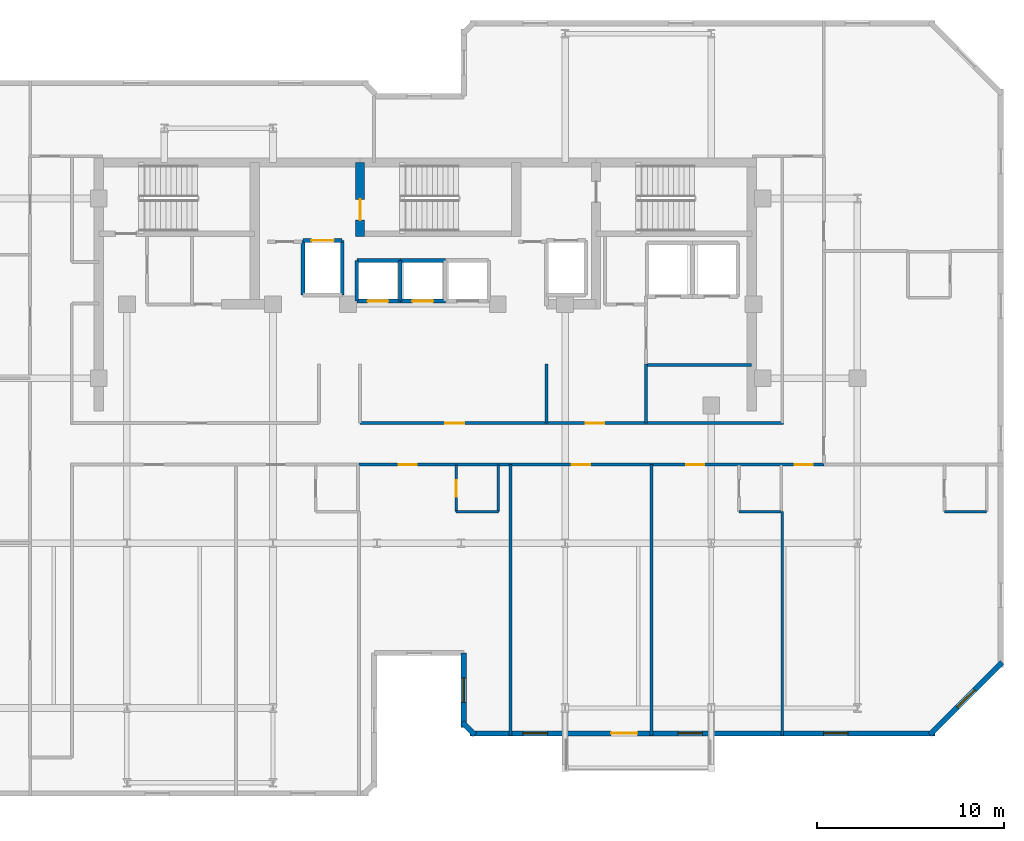
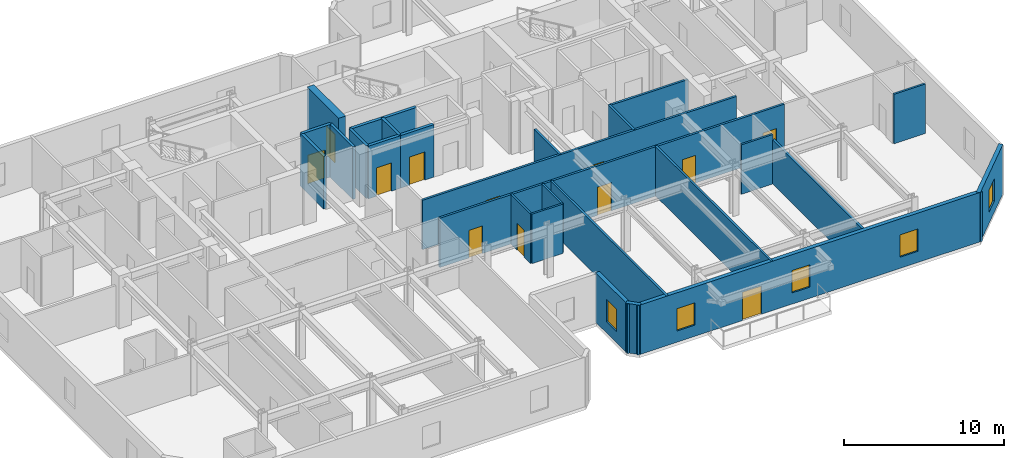
# One storey, part 5 of 11: 27 walls, 12 doors, 5 windows, 17 openings.
"""IFC4 building model written with IfcOpenShell, lengths in metres."""

from ifc_helpers import new_model, si_unit, direction, frame, frame_2d, origin, place, context, subcontext, project, spatial, rectangle, extrude, material, layer, layer_set, type_object, element, fill, save


model = new_model("IFC4")

# Units and contexts
model_context = context("Model", 3, precision=1e-05, world=origin(), true_north=direction((0.0, 1.0)))
body_context = subcontext(model_context, "Body", "Model", "MODEL_VIEW")
ifc_project = project(units=[si_unit("LENGTHUNIT", "METRE"), si_unit("AREAUNIT", "SQUARE_METRE"), si_unit("VOLUMEUNIT", "CUBIC_METRE"), si_unit("PLANEANGLEUNIT", "RADIAN"), si_unit("MASSUNIT", "GRAM", prefix="KILO")], contexts=[model_context])

# Site, building, storey
site_placement = place(None, origin())
site = spatial("IfcSite", under=ifc_project, at=site_placement, CompositionType="ELEMENT")
building_placement = place(site_placement, origin())
building = spatial("IfcBuilding", under=site, at=building_placement, Name="Kestravale Grand Hotel", CompositionType="ELEMENT")
storey_placement = place(building_placement, frame((0.0, 0.0, 265.39990234375)))
storey = spatial("IfcBuildingStorey", under=building, at=storey_placement, Name="L66", CompositionType="ELEMENT", Elevation=265.39990234375)

# Wall, opening, door
ifc_material_1 = material(Name="Concrete f'c 50 MPa", Category="concrete")
ifc_layer_1 = layer(ifc_material_1, 0.5)
ifc_layer_set_1 = layer_set([ifc_layer_1], Name="EW-CORE-500")
wall_type_1 = type_object("IfcWallType", Name="EW-CORE-500", PredefinedType="SHEAR", material=ifc_layer_set_1)
wall_1_placement = place(storey_placement, frame((35.85009765625, 36.3701171875, 0.0), z_axis=(0.0, 0.0, 1.0), x_axis=(0.0, 1.0, 0.0)))
wall_1 = element("IfcWall", 1, at=wall_1_placement, inside=storey, type_object=wall_type_1, Name="L66 core shear wall X2", PredefinedType="SHEAR", context=body_context, shape_type="SweptSolid", body=[
    extrude(rectangle(XDim=3.949951171875, YDim=0.5, at=frame_2d((1.97509765625, 0.0))), origin(), (0.0, 0.0, 1.0), 4.0),
])
opening_1_placement = place(wall_1_placement, frame((0.8798828125, 0.0, 0.0)))
opening_1 = element("IfcOpeningElement", 2, at=opening_1_placement, cuts=wall_1, Name="Opening D-ST-1100", PredefinedType="OPENING", context=body_context, shape_type="SweptSolid", body=[
    extrude(rectangle(XDim=1.10009765625, YDim=2.14990234375, at=frame_2d((0.550048828125, 1.074951171875))), frame((0.0, 0.260009765625, 0.0), z_axis=(0.0, -1.0, 0.0), x_axis=(1.0, 0.0, 0.0)), (0.0, 0.0, 1.0), 0.52001953125),
])
ifc_material_2 = material(Name="Galvanised 90-minute fire-rated steel stair door", Category="steel")
door_type_1 = type_object("IfcDoorType", Name="D-ST-1100", OperationType="NOTDEFINED", PredefinedType="DOOR", material=ifc_material_2)
door_1_placement = place(opening_1_placement, origin())
door_1 = element("IfcDoor", 3, at=door_1_placement, inside=storey, type_object=door_type_1, Name="L66 Stair ST-2 FSAE fire door", OperationType="SINGLE_SWING_RIGHT", OverallHeight=2.14990234375, OverallWidth=1.10009765625, PredefinedType="DOOR", context=body_context, shape_type="SweptSolid", body=[
    extrude(rectangle(XDim=1.10009765625, YDim=2.14990234375, at=frame_2d((0.550048828125, 1.074951171875))), frame((0.0, 0.02490234375, 0.0), z_axis=(0.0, -1.0, 0.0), x_axis=(1.0, 0.0, 0.0)), (0.0, 0.0, 1.0), 0.050048828125),
])
fill(opening_1, door_1)

# Wall, opening, window
ifc_material_3 = material(Name="Precast concrete f'c 45 MPa", Category="concrete")
ifc_layer_2 = layer(ifc_material_3, 0.280029296875)
ifc_layer_set_2 = layer_set([ifc_layer_2], Name="EW-PREC-280")
wall_type_2 = type_object("IfcWallType", Name="EW-PREC-280", PredefinedType="SOLIDWALL", material=ifc_layer_set_2)
wall_2_placement = place(storey_placement, frame((41.389892578125, 14.139892578125, 0.0), z_axis=(0.0, 0.0, 1.0), x_axis=(0.0, -1.0, 0.0)))
wall_2 = element("IfcWall", 4, at=wall_2_placement, inside=storey, type_object=wall_type_2, Name="L66 fluted precast facade wall 5", PredefinedType="SOLIDWALL", context=body_context, shape_type="SweptSolid", body=[
    extrude(rectangle(XDim=3.97998046875, YDim=0.280029296875, at=frame_2d((1.989990234375, 0.0))), origin(), (0.0, 0.0, 1.0), 3.760009765625),
])
opening_2_placement = place(wall_2_placement, frame((1.340087890625, 0.0, 0.85009765625)))
opening_2 = element("IfcOpeningElement", 5, at=opening_2_placement, cuts=wall_2, Name="Opening W-GUEST-1300", PredefinedType="OPENING", context=body_context, shape_type="SweptSolid", body=[
    extrude(rectangle(XDim=1.300048828125, YDim=1.699951171875, at=frame_2d((0.64990234375, 0.85009765625))), frame((0.0, 0.14990234375, 0.0), z_axis=(0.0, -1.0, 0.0), x_axis=(1.0, 0.0, 0.0)), (0.0, 0.0, 1.0), 0.300048828125),
])
ifc_material_4 = material(Name="Insulated low-E double glazing in aluminium frame", Category="aluminium")
window_type = type_object("IfcWindowType", Name="W-GUEST-1300", PartitioningType="SINGLE_PANEL", PredefinedType="WINDOW", material=ifc_material_4)
window_1_placement = place(opening_2_placement, origin())
window_1 = element("IfcWindow", 6, at=window_1_placement, inside=storey, type_object=window_type, Name="L66 exterior window 5.1", OverallHeight=1.699951171875, OverallWidth=1.300048828125, PartitioningType="SINGLE_PANEL", PredefinedType="WINDOW", context=body_context, shape_type="SweptSolid", body=[
    extrude(rectangle(XDim=1.300048828125, YDim=1.699951171875, at=frame_2d((0.64990234375, 0.85009765625))), frame((0.0, 0.030029296875, 0.0), z_axis=(0.0, -1.0, 0.0), x_axis=(1.0, 0.0, 0.0)), (0.0, 0.0, 1.0), 0.06005859375),
])
fill(opening_2, window_1)

# Wall
wall_3_placement = place(storey_placement, frame((41.32080078125, 10.42724609375, 0.0), z_axis=(0.0, 0.0, 1.0), x_axis=(0.707106781187, -0.707106781187, 0.0)))
element("IfcWall", 7, at=wall_3_placement, inside=storey, type_object=wall_type_2, Name="L66 fluted precast facade wall 6", PredefinedType="SOLIDWALL", context=body_context, shape_type="SweptSolid", body=[
    extrude(rectangle(XDim=0.928466796875, YDim=0.280029296875, at=frame_2d((0.46435546875, 0.0))), origin(), (0.0, 0.0, 1.0), 3.760009765625),
])

# Wall, openings, door, windows
wall_4_placement = place(storey_placement, frame((41.7099609375, 9.840087890625, 0.0), z_axis=(0.0, 0.0, 1.0), x_axis=(1.0, 0.0, 0.0)))
wall_4 = element("IfcWall", 8, at=wall_4_placement, inside=storey, type_object=wall_type_2, Name="L66 fluted precast facade wall 7", PredefinedType="SOLIDWALL", context=body_context, shape_type="SweptSolid", body=[
    extrude(rectangle(XDim=24.830078125, YDim=0.280029296875, at=frame_2d((12.4150390625, 0.0))), origin(), (0.0, 0.0, 1.0), 3.760009765625),
])
opening_3_placement = place(wall_4_placement, frame((7.5400390625, 0.0, 0.0)))
opening_3 = element("IfcOpeningElement", 9, at=opening_3_placement, cuts=wall_4, Name="Opening D-TERR-1400", PredefinedType="OPENING", context=body_context, shape_type="SweptSolid", body=[
    extrude(rectangle(XDim=1.39990234375, YDim=2.14990234375, at=frame_2d((0.699951171875, 1.074951171875))), frame((0.0, 0.14990234375, 0.0), z_axis=(0.0, -1.0, 0.0), x_axis=(1.0, 0.0, 0.0)), (0.0, 0.0, 1.0), 0.300048828125),
])
opening_4_placement = place(wall_4_placement, frame((2.83837890625, 0.0, 0.85009765625)))
opening_4 = element("IfcOpeningElement", 10, at=opening_4_placement, cuts=wall_4, Name="Opening W-GUEST-1300", PredefinedType="OPENING", context=body_context, shape_type="SweptSolid", body=[
    extrude(rectangle(XDim=1.300048828125, YDim=1.699951171875, at=frame_2d((0.64990234375, 0.85009765625))), frame((0.0, 0.14990234375, 0.0), z_axis=(0.0, -1.0, 0.0), x_axis=(1.0, 0.0, 0.0)), (0.0, 0.0, 1.0), 0.300048828125),
])
opening_5_placement = place(wall_4_placement, frame((11.114990234375, 0.0, 0.85009765625)))
opening_5 = element("IfcOpeningElement", 11, at=opening_5_placement, cuts=wall_4, Name="Opening W-GUEST-1300", PredefinedType="OPENING", context=body_context, shape_type="SweptSolid", body=[
    extrude(rectangle(XDim=1.300048828125, YDim=1.699951171875, at=frame_2d((0.64990234375, 0.85009765625))), frame((0.0, 0.14990234375, 0.0), z_axis=(0.0, -1.0, 0.0), x_axis=(1.0, 0.0, 0.0)), (0.0, 0.0, 1.0), 0.300048828125),
])
opening_6_placement = place(wall_4_placement, frame((18.8916015625, 0.0, 0.85009765625)))
opening_6 = element("IfcOpeningElement", 12, at=opening_6_placement, cuts=wall_4, Name="Opening W-GUEST-1300", PredefinedType="OPENING", context=body_context, shape_type="SweptSolid", body=[
    extrude(rectangle(XDim=1.300048828125, YDim=1.699951171875, at=frame_2d((0.64990234375, 0.85009765625))), frame((0.0, 0.14990234375, 0.0), z_axis=(0.0, -1.0, 0.0), x_axis=(1.0, 0.0, 0.0)), (0.0, 0.0, 1.0), 0.300048828125),
])
ifc_material_5 = material(Name="Insulated glazed champagne-bronze aluminium door", Category="aluminium")
door_type_2 = type_object("IfcDoorType", Name="D-TERR-1400", OperationType="NOTDEFINED", PredefinedType="DOOR", material=ifc_material_5)
door_2_placement = place(opening_3_placement, origin())
door_2 = element("IfcDoor", 13, at=door_2_placement, inside=storey, type_object=door_type_2, Name="L66 outdoor garden terrace door", OperationType="DOUBLE_DOOR_SINGLE_SWING", OverallHeight=2.14990234375, OverallWidth=1.39990234375, PredefinedType="DOOR", context=body_context, shape_type="SweptSolid", body=[
    extrude(rectangle(XDim=1.39990234375, YDim=2.14990234375, at=frame_2d((0.699951171875, 1.074951171875))), frame((0.0, 0.02490234375, 0.0), z_axis=(0.0, -1.0, 0.0), x_axis=(1.0, 0.0, 0.0)), (0.0, 0.0, 1.0), 0.050048828125),
])
fill(opening_3, door_2)
window_2_placement = place(opening_4_placement, origin())
window_2 = element("IfcWindow", 14, at=window_2_placement, inside=storey, type_object=window_type, Name="L66 exterior window 7.1", OverallHeight=1.699951171875, OverallWidth=1.300048828125, PartitioningType="SINGLE_PANEL", PredefinedType="WINDOW", context=body_context, shape_type="SweptSolid", body=[
    extrude(rectangle(XDim=1.300048828125, YDim=1.699951171875, at=frame_2d((0.64990234375, 0.85009765625))), frame((0.0, 0.030029296875, 0.0), z_axis=(0.0, -1.0, 0.0), x_axis=(1.0, 0.0, 0.0)), (0.0, 0.0, 1.0), 0.06005859375),
])
fill(opening_4, window_2)
window_3_placement = place(opening_5_placement, origin())
window_3 = element("IfcWindow", 15, at=window_3_placement, inside=storey, type_object=window_type, Name="L66 exterior window 7.2", OverallHeight=1.699951171875, OverallWidth=1.300048828125, PartitioningType="SINGLE_PANEL", PredefinedType="WINDOW", context=body_context, shape_type="SweptSolid", body=[
    extrude(rectangle(XDim=1.300048828125, YDim=1.699951171875, at=frame_2d((0.64990234375, 0.85009765625))), frame((0.0, 0.030029296875, 0.0), z_axis=(0.0, -1.0, 0.0), x_axis=(1.0, 0.0, 0.0)), (0.0, 0.0, 1.0), 0.06005859375),
])
fill(opening_5, window_3)
window_4_placement = place(opening_6_placement, origin())
window_4 = element("IfcWindow", 16, at=window_4_placement, inside=storey, type_object=window_type, Name="L66 exterior window 7.3", OverallHeight=1.699951171875, OverallWidth=1.300048828125, PartitioningType="SINGLE_PANEL", PredefinedType="WINDOW", context=body_context, shape_type="SweptSolid", body=[
    extrude(rectangle(XDim=1.300048828125, YDim=1.699951171875, at=frame_2d((0.64990234375, 0.85009765625))), frame((0.0, 0.030029296875, 0.0), z_axis=(0.0, -1.0, 0.0), x_axis=(1.0, 0.0, 0.0)), (0.0, 0.0, 1.0), 0.06005859375),
])
fill(opening_6, window_4)

# Wall, opening, window
wall_5_placement = place(storey_placement, frame((66.272705078125, 9.770751953125, 0.0), z_axis=(0.0, 0.0, 1.0), x_axis=(0.707129162587, 0.707084399077, 0.0)))
wall_5 = element("IfcWall", 17, at=wall_5_placement, inside=storey, type_object=wall_type_2, Name="L66 fluted precast facade wall 8", PredefinedType="SOLIDWALL", context=body_context, shape_type="SweptSolid", body=[
    extrude(rectangle(XDim=5.4541015625, YDim=0.280029296875, at=frame_2d((2.72705078125, 0.0))), origin(), (0.0, 0.0, 1.0), 3.760009765625),
])
opening_7_placement = place(wall_5_placement, frame((2.076904296875, 0.0, 0.85009765625)))
opening_7 = element("IfcOpeningElement", 18, at=opening_7_placement, cuts=wall_5, Name="Opening W-GUEST-1300", PredefinedType="OPENING", context=body_context, shape_type="SweptSolid", body=[
    extrude(rectangle(XDim=1.300048828125, YDim=1.699951171875, at=frame_2d((0.64990234375, 0.85009765625))), frame((0.0, 0.14990234375, 0.0), z_axis=(0.0, -1.0, 0.0), x_axis=(1.0, 0.0, 0.0)), (0.0, 0.0, 1.0), 0.300048828125),
])
window_5_placement = place(opening_7_placement, origin())
window_5 = element("IfcWindow", 19, at=window_5_placement, inside=storey, type_object=window_type, Name="L66 exterior window 8.1", OverallHeight=1.699951171875, OverallWidth=1.300048828125, PartitioningType="SINGLE_PANEL", PredefinedType="WINDOW", context=body_context, shape_type="SweptSolid", body=[
    extrude(rectangle(XDim=1.300048828125, YDim=1.699951171875, at=frame_2d((0.64990234375, 0.85009765625))), frame((0.0, 0.030029296875, 0.0), z_axis=(0.0, -1.0, 0.0), x_axis=(1.0, 0.0, 0.0)), (0.0, 0.0, 1.0), 0.06005859375),
])
fill(opening_7, window_5)

# Wall
ifc_material_6 = material(Name="Acoustic fire-rated gypsum board partition", Category="other")
ifc_layer_3 = layer(ifc_material_6, 0.159912109375)
ifc_layer_set_3 = layer_set([ifc_layer_3], Name="IW-CORR-160")
wall_type_3 = type_object("IfcWallType", Name="IW-CORR-160", PredefinedType="PARTITIONING", material=ifc_layer_set_3)
wall_6_placement = place(storey_placement, frame((51.1201171875, 29.5, 0.0), z_axis=(0.0, 0.0, 1.0), x_axis=(1.0, 0.0, 0.0)))
element("IfcWall", 20, at=wall_6_placement, inside=storey, type_object=wall_type_3, Name="L66 service lift lobby wall", PredefinedType="PARTITIONING", context=body_context, shape_type="SweptSolid", body=[
    extrude(rectangle(XDim=5.6298828125, YDim=0.159912109375, at=frame_2d((2.81494140625, 0.0))), origin(), (0.0, 0.0, 1.0), 3.760009765625),
])

# Wall, openings, doors
wall_7_placement = place(storey_placement, frame((35.85009765625, 26.409912109375, 0.0), z_axis=(0.0, 0.0, 1.0), x_axis=(1.0, 0.0, 0.0)))
wall_7 = element("IfcWall", 21, at=wall_7_placement, inside=storey, type_object=wall_type_3, Name="W-L66-CE-N", PredefinedType="PARTITIONING", context=body_context, shape_type="SweptSolid", body=[
    extrude(rectangle(XDim=22.599853515625, YDim=0.159912109375, at=frame_2d((11.2998046875, 0.0))), origin(), (0.0, 0.0, 1.0), 3.760009765625),
])
opening_8_placement = place(wall_7_placement, frame((4.550048828125, 0.0, 0.0)))
opening_8 = element("IfcOpeningElement", 22, at=opening_8_placement, cuts=wall_7, Name="Opening D-GUEST-1000", PredefinedType="OPENING", context=body_context, shape_type="SweptSolid", body=[
    extrude(rectangle(XDim=1.0, YDim=2.14990234375, at=frame_2d((0.5, 1.074951171875))), frame((0.0, 0.08984375, 0.0), z_axis=(0.0, -1.0, 0.0), x_axis=(1.0, 0.0, 0.0)), (0.0, 0.0, 1.0), 0.179931640625),
])
opening_9_placement = place(wall_7_placement, frame((12.050048828125, 0.0, 0.0)))
opening_9 = element("IfcOpeningElement", 23, at=opening_9_placement, cuts=wall_7, Name="Opening D-GUEST-1000", PredefinedType="OPENING", context=body_context, shape_type="SweptSolid", body=[
    extrude(rectangle(XDim=1.0, YDim=2.14990234375, at=frame_2d((0.5, 1.074951171875))), frame((0.0, 0.08984375, 0.0), z_axis=(0.0, -1.0, 0.0), x_axis=(1.0, 0.0, 0.0)), (0.0, 0.0, 1.0), 0.179931640625),
])
ifc_material_7 = material(Name="Accessible walnut veneer hotel entrance fire door", Category="wood")
door_type_3 = type_object("IfcDoorType", Name="D-GUEST-1000", OperationType="NOTDEFINED", PredefinedType="DOOR", material=ifc_material_7)
door_3_placement = place(opening_8_placement, origin())
door_3 = element("IfcDoor", 24, at=door_3_placement, inside=storey, type_object=door_type_3, Name="D-L66-RECL-E1", OperationType="SINGLE_SWING_RIGHT", OverallHeight=2.14990234375, OverallWidth=1.0, PredefinedType="DOOR", context=body_context, shape_type="SweptSolid", body=[
    extrude(rectangle(XDim=1.0, YDim=2.14990234375, at=frame_2d((0.5, 1.074951171875))), frame((0.0, 0.02490234375, 0.0), z_axis=(0.0, -1.0, 0.0), x_axis=(1.0, 0.0, 0.0)), (0.0, 0.0, 1.0), 0.050048828125),
])
fill(opening_8, door_3)
door_4_placement = place(opening_9_placement, origin())
door_4 = element("IfcDoor", 25, at=door_4_placement, inside=storey, type_object=door_type_3, Name="D-L66-RECL-E2", OperationType="SINGLE_SWING_LEFT", OverallHeight=2.14990234375, OverallWidth=1.0, PredefinedType="DOOR", context=body_context, shape_type="SweptSolid", body=[
    extrude(rectangle(XDim=1.0, YDim=2.14990234375, at=frame_2d((0.5, 1.074951171875))), frame((0.0, 0.02490234375, 0.0), z_axis=(0.0, -1.0, 0.0), x_axis=(1.0, 0.0, 0.0)), (0.0, 0.0, 1.0), 0.050048828125),
])
fill(opening_9, door_4)

wall_8_placement = place(storey_placement, frame((35.800048828125, 24.18994140625, 0.0), z_axis=(0.0, 0.0, 1.0), x_axis=(1.0, 0.0, 0.0)))
wall_8 = element("IfcWall", 26, at=wall_8_placement, inside=storey, type_object=wall_type_3, Name="W-L66-CE-S", PredefinedType="PARTITIONING", context=body_context, shape_type="SweptSolid", body=[
    extrude(rectangle(XDim=24.81005859375, YDim=0.159912109375, at=frame_2d((12.405029296875, 0.0))), origin(), (0.0, 0.0, 1.0), 3.760009765625),
])
opening_10_placement = place(wall_8_placement, frame((2.114990234375, 0.0, 0.0)))
opening_10 = element("IfcOpeningElement", 27, at=opening_10_placement, cuts=wall_8, Name="Opening D-GUEST-950", PredefinedType="OPENING", context=body_context, shape_type="SweptSolid", body=[
    extrude(rectangle(XDim=0.949951171875, YDim=2.10009765625, at=frame_2d((0.47509765625, 1.050048828125))), frame((0.0, 0.08984375, 0.0), z_axis=(0.0, -1.0, 0.0), x_axis=(1.0, 0.0, 0.0)), (0.0, 0.0, 1.0), 0.179931640625),
])
opening_11_placement = place(wall_8_placement, frame((11.344970703125, 0.0, 0.0)))
opening_11 = element("IfcOpeningElement", 28, at=opening_11_placement, cuts=wall_8, Name="Opening D-GUEST-1000", PredefinedType="OPENING", context=body_context, shape_type="SweptSolid", body=[
    extrude(rectangle(XDim=1.0, YDim=2.14990234375, at=frame_2d((0.5, 1.074951171875))), frame((0.0, 0.08984375, 0.0), z_axis=(0.0, -1.0, 0.0), x_axis=(1.0, 0.0, 0.0)), (0.0, 0.0, 1.0), 0.179931640625),
])
opening_12_placement = place(wall_8_placement, frame((17.469970703125, 0.0, 0.0)))
opening_12 = element("IfcOpeningElement", 29, at=opening_12_placement, cuts=wall_8, Name="Opening D-GUEST-950", PredefinedType="OPENING", context=body_context, shape_type="SweptSolid", body=[
    extrude(rectangle(XDim=0.949951171875, YDim=2.10009765625, at=frame_2d((0.47509765625, 1.050048828125))), frame((0.0, 0.08984375, 0.0), z_axis=(0.0, -1.0, 0.0), x_axis=(1.0, 0.0, 0.0)), (0.0, 0.0, 1.0), 0.179931640625),
])
opening_13_placement = place(wall_8_placement, frame((23.264892578125, 0.0, 0.0)))
opening_13 = element("IfcOpeningElement", 30, at=opening_13_placement, cuts=wall_8, Name="Opening D-GUEST-950", PredefinedType="OPENING", context=body_context, shape_type="SweptSolid", body=[
    extrude(rectangle(XDim=0.949951171875, YDim=2.10009765625, at=frame_2d((0.47509765625, 1.050048828125))), frame((0.0, 0.08984375, 0.0), z_axis=(0.0, -1.0, 0.0), x_axis=(1.0, 0.0, 0.0)), (0.0, 0.0, 1.0), 0.179931640625),
])
door_5_placement = place(opening_11_placement, origin())
door_5 = element("IfcDoor", 31, at=door_5_placement, inside=storey, type_object=door_type_3, Name="D-L66-AME", OperationType="SINGLE_SWING_LEFT", OverallHeight=2.14990234375, OverallWidth=1.0, PredefinedType="DOOR", context=body_context, shape_type="SweptSolid", body=[
    extrude(rectangle(XDim=1.0, YDim=2.14990234375, at=frame_2d((0.5, 1.074951171875))), frame((0.0, 0.02490234375, 0.0), z_axis=(0.0, -1.0, 0.0), x_axis=(1.0, 0.0, 0.0)), (0.0, 0.0, 1.0), 0.050048828125),
])
fill(opening_11, door_5)
ifc_material_8 = material(Name="Walnut veneer hotel guestroom entrance fire door", Category="wood")
door_type_4 = type_object("IfcDoorType", Name="D-GUEST-950", OperationType="NOTDEFINED", PredefinedType="DOOR", material=ifc_material_8)
door_6_placement = place(opening_10_placement, origin())
door_6 = element("IfcDoor", 32, at=door_6_placement, inside=storey, type_object=door_type_4, Name="D-L66-U02-ENT", OperationType="SINGLE_SWING_RIGHT", OverallHeight=2.10009765625, OverallWidth=0.949951171875, PredefinedType="DOOR", context=body_context, shape_type="SweptSolid", body=[
    extrude(rectangle(XDim=0.949951171875, YDim=2.10009765625, at=frame_2d((0.47509765625, 1.050048828125))), frame((0.0, 0.02490234375, 0.0), z_axis=(0.0, -1.0, 0.0), x_axis=(1.0, 0.0, 0.0)), (0.0, 0.0, 1.0), 0.050048828125),
])
fill(opening_10, door_6)
door_7_placement = place(opening_12_placement, origin())
door_7 = element("IfcDoor", 33, at=door_7_placement, inside=storey, type_object=door_type_4, Name="D-L66-U03-ENT", OperationType="SINGLE_SWING_LEFT", OverallHeight=2.10009765625, OverallWidth=0.949951171875, PredefinedType="DOOR", context=body_context, shape_type="SweptSolid", body=[
    extrude(rectangle(XDim=0.949951171875, YDim=2.10009765625, at=frame_2d((0.47509765625, 1.050048828125))), frame((0.0, 0.02490234375, 0.0), z_axis=(0.0, -1.0, 0.0), x_axis=(1.0, 0.0, 0.0)), (0.0, 0.0, 1.0), 0.050048828125),
])
fill(opening_12, door_7)
door_8_placement = place(opening_13_placement, origin())
door_8 = element("IfcDoor", 34, at=door_8_placement, inside=storey, type_object=door_type_4, Name="D-L66-U07-ENT", OperationType="SINGLE_SWING_RIGHT", OverallHeight=2.10009765625, OverallWidth=0.949951171875, PredefinedType="DOOR", context=body_context, shape_type="SweptSolid", body=[
    extrude(rectangle(XDim=0.949951171875, YDim=2.10009765625, at=frame_2d((0.47509765625, 1.050048828125))), frame((0.0, 0.02490234375, 0.0), z_axis=(0.0, -1.0, 0.0), x_axis=(1.0, 0.0, 0.0)), (0.0, 0.0, 1.0), 0.050048828125),
])
fill(opening_13, door_8)

# Wall, opening, door
ifc_material_9 = material(Name="Moisture-resistant tile-backer plumbing chase wall", Category="other")
ifc_layer_4 = layer(ifc_material_9, 0.139892578125)
ifc_layer_set_4 = layer_set([ifc_layer_4], Name="IW-PLB-140")
wall_type_4 = type_object("IfcWallType", Name="IW-PLB-140", PredefinedType="PLUMBINGWALL", material=ifc_layer_set_4)
wall_9_placement = place(storey_placement, frame((40.97998046875, 21.679931640625, 0.0), z_axis=(0.0, 0.0, 1.0), x_axis=(0.0, 1.0, 0.0)))
wall_9 = element("IfcWall", 35, at=wall_9_placement, inside=storey, type_object=wall_type_4, Name="W-L66-U02-BW", PredefinedType="PLUMBINGWALL", context=body_context, shape_type="SweptSolid", body=[
    extrude(rectangle(XDim=2.489990234375, YDim=0.139892578125, at=frame_2d((1.2451171875, 0.0))), origin(), (0.0, 0.0, 1.0), 3.760009765625),
])
opening_14_placement = place(wall_9_placement, frame((0.804931640625, 0.0, 0.0)))
opening_14 = element("IfcOpeningElement", 36, at=opening_14_placement, cuts=wall_9, Name="Opening D-BATH-880", PredefinedType="OPENING", context=body_context, shape_type="SweptSolid", body=[
    extrude(rectangle(XDim=0.8798828125, YDim=2.050048828125, at=frame_2d((0.43994140625, 1.02490234375))), frame((0.0, 0.079833984375, 0.0), z_axis=(0.0, -1.0, 0.0), x_axis=(1.0, 0.0, 0.0)), (0.0, 0.0, 1.0), 0.159912109375),
])
ifc_material_10 = material(Name="Moisture-sealed walnut en-suite bathroom door", Category="wood")
door_type_5 = type_object("IfcDoorType", Name="D-BATH-880", OperationType="NOTDEFINED", PredefinedType="DOOR", material=ifc_material_10)
door_9_placement = place(opening_14_placement, origin())
door_9 = element("IfcDoor", 37, at=door_9_placement, inside=storey, type_object=door_type_5, Name="D-L66-U02-BATH", OperationType="SINGLE_SWING_LEFT", OverallHeight=2.050048828125, OverallWidth=0.8798828125, PredefinedType="DOOR", context=body_context, shape_type="SweptSolid", body=[
    extrude(rectangle(XDim=0.8798828125, YDim=2.050048828125, at=frame_2d((0.43994140625, 1.02490234375))), frame((0.0, 0.02490234375, 0.0), z_axis=(0.0, -1.0, 0.0), x_axis=(1.0, 0.0, 0.0)), (0.0, 0.0, 1.0), 0.050048828125),
])
fill(opening_14, door_9)

# Walls
wall_10_placement = place(storey_placement, frame((43.22998046875, 21.679931640625, 0.0), z_axis=(0.0, 0.0, 1.0), x_axis=(0.0, 1.0, 0.0)))
element("IfcWall", 38, at=wall_10_placement, inside=storey, type_object=wall_type_4, Name="W-L66-U02-BE", PredefinedType="PLUMBINGWALL", context=body_context, shape_type="SweptSolid", body=[
    extrude(rectangle(XDim=2.489990234375, YDim=0.139892578125, at=frame_2d((1.2451171875, 0.0))), origin(), (0.0, 0.0, 1.0), 3.760009765625),
])
for number, where, z_axis, x_axis, name in (
    (39, (40.97998046875, 21.679931640625, 0.0), (0.0, 0.0, 1.0), (1.0, 0.0, 0.0), "W-L66-U02-BS"),
    (40, (56.080078125, 21.679931640625, 0.0), (0.0, 0.0, 1.0), (1.0, 0.0, 0.0), "W-L66-U03-BS"),
    (41, (67.050048828125, 21.679931640625, 0.0), (0.0, 0.0, 1.0), (1.0, 0.0, 0.0), "W-L66-U07-BS"),
):
    element("IfcWall", number, at=place(storey_placement, frame(where, z_axis=z_axis, x_axis=x_axis)), inside=storey, type_object=wall_type_4, Name=name, PredefinedType="PLUMBINGWALL", context=body_context, shape_type="SweptSolid", body=[
        extrude(rectangle(XDim=2.25, YDim=0.139892578125, at=frame_2d((1.125, 0.0))), origin(), (0.0, 0.0, 1.0), 3.760009765625),
    ])
ifc_material_11 = material(Name="Concrete f'c 45 MPa", Category="concrete")
ifc_layer_5 = layer(ifc_material_11, 0.199951171875)
ifc_layer_set_5 = layer_set([ifc_layer_5], Name="IW-SHAFT-200")
wall_type_5 = type_object("IfcWallType", Name="IW-SHAFT-200", PredefinedType="SHEAR", material=ifc_layer_set_5)
for number, where, z_axis, x_axis, name in (
    (42, (35.679931640625, 32.919921875, 0.0), (0.0, 0.0, 1.0), (0.0, 1.0, 0.0), "L66 PL-X1 west shaft wall"),
    (43, (38.0, 32.919921875, 0.0), (0.0, 0.0, 1.0), (0.0, 1.0, 0.0), "L66 PL-X2 west shaft wall"),
):
    element("IfcWall", number, at=place(storey_placement, frame(where, z_axis=z_axis, x_axis=x_axis)), inside=storey, type_object=wall_type_5, Name=name, PredefinedType="SHEAR", context=body_context, shape_type="SweptSolid", body=[
        extrude(rectangle(XDim=2.16015625, YDim=0.199951171875, at=frame_2d((1.080078125, 0.0))), origin(), (0.0, 0.0, 1.0), 4.0),
    ])
for number, where, z_axis, x_axis, name in (
    (44, (32.804931640625, 33.2451171875, 0.0), (0.0, 0.0, 1.0), (0.0, 1.0, 0.0), "L66 FL-1 west shaft wall"),
    (45, (34.89501953125, 33.2451171875, 0.0), (0.0, 0.0, 1.0), (0.0, 1.0, 0.0), "L66 FL-1 east shaft wall"),
):
    element("IfcWall", number, at=place(storey_placement, frame(where, z_axis=z_axis, x_axis=x_axis)), inside=storey, type_object=wall_type_5, Name=name, PredefinedType="SHEAR", context=body_context, shape_type="SweptSolid", body=[
        extrude(rectangle(XDim=2.909912109375, YDim=0.199951171875, at=frame_2d((1.455078125, 0.0))), origin(), (0.0, 0.0, 1.0), 4.0),
    ])
ifc_material_12 = material(Name="Concrete f'c 45 MPa", Category="concrete")
ifc_layer_6 = layer(ifc_material_12, 0.219970703125)
ifc_layer_set_6 = layer_set([ifc_layer_6], Name="IW-SHAFT-220")
wall_type_6 = type_object("IfcWallType", Name="IW-SHAFT-220", PredefinedType="SHEAR", material=ifc_layer_set_6)
wall_11_placement = place(storey_placement, frame((35.679931640625, 35.080078125, 0.0), z_axis=(0.0, 0.0, 1.0), x_axis=(1.0, 0.0, 0.0)))
element("IfcWall", 46, at=wall_11_placement, inside=storey, type_object=wall_type_6, Name="L66 PL-X1 north shaft wall", PredefinedType="SHEAR", context=body_context, shape_type="SweptSolid", body=[
    extrude(rectangle(XDim=2.320068359375, YDim=0.219970703125, at=frame_2d((1.16015625, 0.0))), origin(), (0.0, 0.0, 1.0), 4.0),
])

# Wall, opening, door
wall_12_placement = place(storey_placement, frame((35.679931640625, 32.919921875, 0.0), z_axis=(0.0, 0.0, 1.0), x_axis=(1.0, 0.0, 0.0)))
wall_12 = element("IfcWall", 47, at=wall_12_placement, inside=storey, type_object=wall_type_6, Name="L66 PL-X1 south shaft wall", PredefinedType="SHEAR", context=body_context, shape_type="SweptSolid", body=[
    extrude(rectangle(XDim=2.320068359375, YDim=0.219970703125, at=frame_2d((1.16015625, 0.0))), origin(), (0.0, 0.0, 1.0), 4.0),
])
opening_15_placement = place(wall_12_placement, frame((0.570068359375, 0.0, 0.0)))
opening_15 = element("IfcOpeningElement", 48, at=opening_15_placement, cuts=wall_12, Name="Opening LD-PAX-1100", PredefinedType="OPENING", context=body_context, shape_type="SweptSolid", body=[
    extrude(rectangle(XDim=1.10009765625, YDim=2.14990234375, at=frame_2d((0.550048828125, 1.074951171875))), frame((0.0, 0.119873046875, 0.0), z_axis=(0.0, -1.0, 0.0), x_axis=(1.0, 0.0, 0.0)), (0.0, 0.0, 1.0), 0.239990234375),
])
ifc_material_13 = material(Name="Champagne-bronze center-opening sliding elevator landing door", Category="steel")
door_type_6 = type_object("IfcDoorType", Name="LD-PAX-1100", OperationType="NOTDEFINED", PredefinedType="DOOR", material=ifc_material_13)
door_10_placement = place(opening_15_placement, origin())
door_10 = element("IfcDoor", 49, at=door_10_placement, inside=storey, type_object=door_type_6, Name="L66 PL-X1 elevator landing sliding door", OperationType="DOUBLE_DOOR_SLIDING", OverallHeight=2.14990234375, OverallWidth=1.10009765625, PredefinedType="DOOR", context=body_context, shape_type="SweptSolid", body=[
    extrude(rectangle(XDim=1.10009765625, YDim=2.14990234375, at=frame_2d((0.550048828125, 1.074951171875))), frame((0.0, 0.02490234375, 0.0), z_axis=(0.0, -1.0, 0.0), x_axis=(1.0, 0.0, 0.0)), (0.0, 0.0, 1.0), 0.050048828125),
])
fill(opening_15, door_10)

# Wall
wall_13_placement = place(storey_placement, frame((38.0, 35.080078125, 0.0), z_axis=(0.0, 0.0, 1.0), x_axis=(1.0, 0.0, 0.0)))
element("IfcWall", 50, at=wall_13_placement, inside=storey, type_object=wall_type_6, Name="L66 PL-X2 north shaft wall", PredefinedType="SHEAR", context=body_context, shape_type="SweptSolid", body=[
    extrude(rectangle(XDim=2.39990234375, YDim=0.219970703125, at=frame_2d((1.199951171875, 0.0))), origin(), (0.0, 0.0, 1.0), 4.0),
])

# Wall, opening, door
wall_14_placement = place(storey_placement, frame((38.0, 32.919921875, 0.0), z_axis=(0.0, 0.0, 1.0), x_axis=(1.0, 0.0, 0.0)))
wall_14 = element("IfcWall", 51, at=wall_14_placement, inside=storey, type_object=wall_type_6, Name="L66 PL-X2 south shaft wall", PredefinedType="SHEAR", context=body_context, shape_type="SweptSolid", body=[
    extrude(rectangle(XDim=2.39990234375, YDim=0.219970703125, at=frame_2d((1.199951171875, 0.0))), origin(), (0.0, 0.0, 1.0), 4.0),
])
opening_16_placement = place(wall_14_placement, frame((0.64990234375, 0.0, 0.0)))
opening_16 = element("IfcOpeningElement", 52, at=opening_16_placement, cuts=wall_14, Name="Opening LD-PAX-1100", PredefinedType="OPENING", context=body_context, shape_type="SweptSolid", body=[
    extrude(rectangle(XDim=1.10009765625, YDim=2.14990234375, at=frame_2d((0.550048828125, 1.074951171875))), frame((0.0, 0.119873046875, 0.0), z_axis=(0.0, -1.0, 0.0), x_axis=(1.0, 0.0, 0.0)), (0.0, 0.0, 1.0), 0.239990234375),
])
door_11_placement = place(opening_16_placement, origin())
door_11 = element("IfcDoor", 53, at=door_11_placement, inside=storey, type_object=door_type_6, Name="L66 PL-X2 elevator landing sliding door", OperationType="DOUBLE_DOOR_SLIDING", OverallHeight=2.14990234375, OverallWidth=1.10009765625, PredefinedType="DOOR", context=body_context, shape_type="SweptSolid", body=[
    extrude(rectangle(XDim=1.10009765625, YDim=2.14990234375, at=frame_2d((0.550048828125, 1.074951171875))), frame((0.0, 0.02490234375, 0.0), z_axis=(0.0, -1.0, 0.0), x_axis=(1.0, 0.0, 0.0)), (0.0, 0.0, 1.0), 0.050048828125),
])
fill(opening_16, door_11)

wall_15_placement = place(storey_placement, frame((32.804931640625, 36.155029296875, 0.0), z_axis=(0.0, 0.0, 1.0), x_axis=(1.0, 0.0, 0.0)))
wall_15 = element("IfcWall", 54, at=wall_15_placement, inside=storey, type_object=wall_type_6, Name="L66 FL-1 north shaft wall", PredefinedType="SHEAR", context=body_context, shape_type="SweptSolid", body=[
    extrude(rectangle(XDim=2.090087890625, YDim=0.219970703125, at=frame_2d((1.044921875, 0.0))), origin(), (0.0, 0.0, 1.0), 4.0),
])
opening_17_placement = place(wall_15_placement, frame((0.445068359375, 0.0, 0.0)))
opening_17 = element("IfcOpeningElement", 55, at=opening_17_placement, cuts=wall_15, Name="Opening LD-FSAE-1200", PredefinedType="OPENING", context=body_context, shape_type="SweptSolid", body=[
    extrude(rectangle(XDim=1.199951171875, YDim=2.14990234375, at=frame_2d((0.60009765625, 1.074951171875))), frame((0.0, 0.119873046875, 0.0), z_axis=(0.0, -1.0, 0.0), x_axis=(1.0, 0.0, 0.0)), (0.0, 0.0, 1.0), 0.239990234375),
])
ifc_material_14 = material(Name="Stainless fire-service sliding elevator landing door", Category="steel")
door_type_7 = type_object("IfcDoorType", Name="LD-FSAE-1200", OperationType="NOTDEFINED", PredefinedType="DOOR", material=ifc_material_14)
door_12_placement = place(opening_17_placement, origin())
door_12 = element("IfcDoor", 56, at=door_12_placement, inside=storey, type_object=door_type_7, Name="L66 FL-1 elevator landing sliding door", OperationType="DOUBLE_DOOR_SLIDING", OverallHeight=2.14990234375, OverallWidth=1.199951171875, PredefinedType="DOOR", context=body_context, shape_type="SweptSolid", body=[
    extrude(rectangle(XDim=1.199951171875, YDim=2.14990234375, at=frame_2d((0.60009765625, 1.074951171875))), frame((0.0, 0.02490234375, 0.0), z_axis=(0.0, -1.0, 0.0), x_axis=(1.0, 0.0, 0.0)), (0.0, 0.0, 1.0), 0.050048828125),
])
fill(opening_17, door_12)

# Walls
ifc_material_15 = material(Name="Double-stud STC 52 acoustic demising partition", Category="other")
ifc_layer_7 = layer(ifc_material_15, 0.14990234375)
ifc_layer_set_7 = layer_set([ifc_layer_7], Name="IW-UNIT-150")
wall_type_7 = type_object("IfcWallType", Name="IW-UNIT-150", PredefinedType="PARTITIONING", material=ifc_layer_set_7)
for number, where, z_axis, x_axis, name in (
    (57, (45.800048828125, 26.409912109375, 0.0), (0.0, 0.0, 1.0), (0.0, 1.0, 0.0), "W-L66-RCLE-M"),
    (58, (51.1201171875, 26.409912109375, 0.0), (0.0, 0.0, 1.0), (0.0, 1.0, 0.0), "W-L66-RCLE-E"),
):
    element("IfcWall", number, at=place(storey_placement, frame(where, z_axis=z_axis, x_axis=x_axis)), inside=storey, type_object=wall_type_7, Name=name, PredefinedType="PARTITIONING", context=body_context, shape_type="SweptSolid", body=[
        extrude(rectangle(XDim=3.14013671875, YDim=0.14990234375, at=frame_2d((1.570068359375, 0.0))), origin(), (0.0, 0.0, 1.0), 3.760009765625),
    ])
for number, where, z_axis, x_axis, name in (
    (59, (43.8798828125, 9.719970703125, 0.0), (0.0, 0.0, 1.0), (0.0, 1.0, 0.0), "W-L66-ES-1"),
    (60, (51.409912109375, 9.719970703125, 0.0), (0.0, 0.0, 1.0), (0.0, 1.0, 0.0), "W-L66-ES-2"),
):
    element("IfcWall", number, at=place(storey_placement, frame(where, z_axis=z_axis, x_axis=x_axis)), inside=storey, type_object=wall_type_7, Name=name, PredefinedType="PARTITIONING", context=body_context, shape_type="SweptSolid", body=[
        extrude(rectangle(XDim=14.469970703125, YDim=0.14990234375, at=frame_2d((7.23486328125, 0.0))), origin(), (0.0, 0.0, 1.0), 3.760009765625),
    ])
wall_16_placement = place(storey_placement, frame((58.389892578125, 9.719970703125, 0.0), z_axis=(0.0, 0.0, 1.0), x_axis=(0.0, 1.0, 0.0)))
element("IfcWall", 61, at=wall_16_placement, inside=storey, type_object=wall_type_7, Name="W-L66-SEC-W", PredefinedType="PARTITIONING", context=body_context, shape_type="SweptSolid", body=[
    extrude(rectangle(XDim=11.9599609375, YDim=0.14990234375, at=frame_2d((5.97998046875, 0.0))), origin(), (0.0, 0.0, 1.0), 3.356201171875),
])

save(model, "model.ifc")
